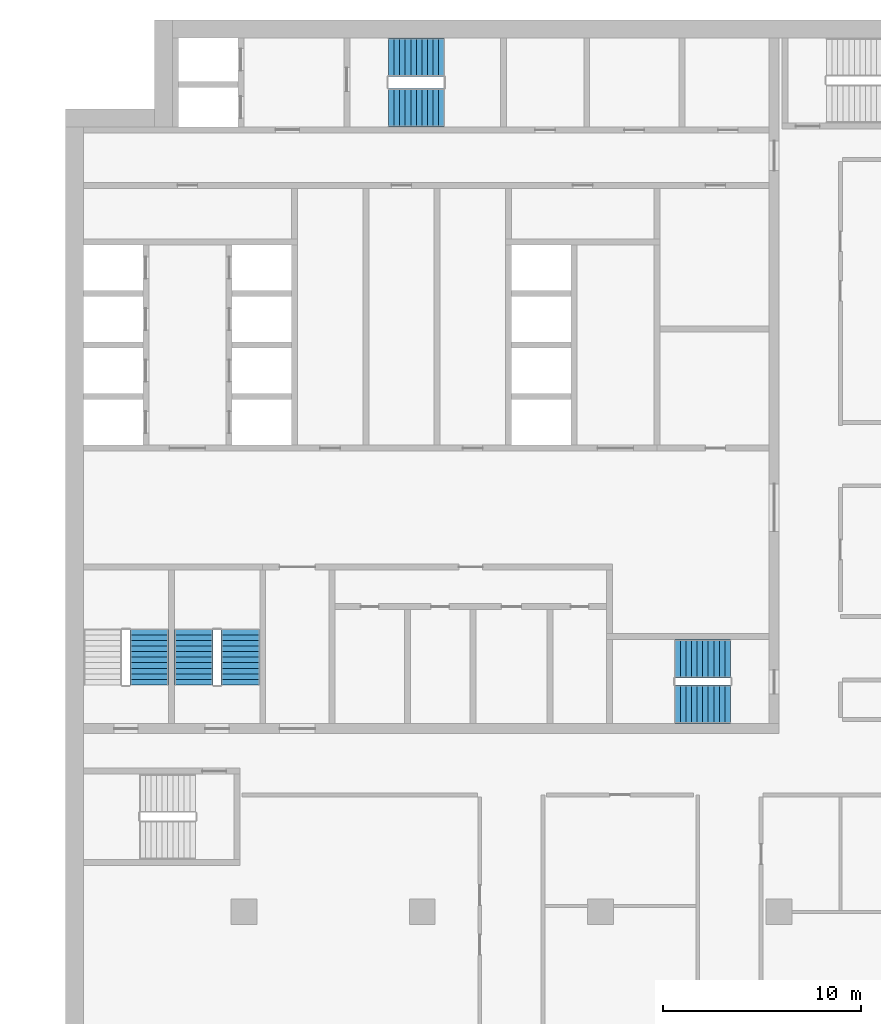
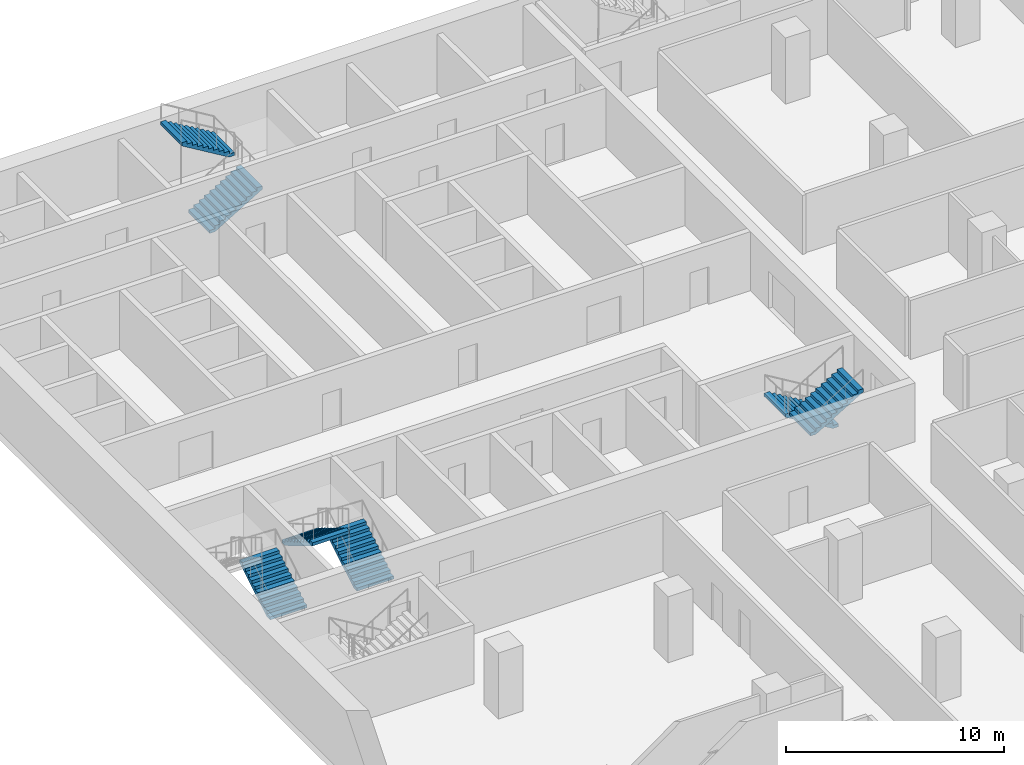
# One storey, part 17 of 23: 7 stair flights, 4 elements without a shape of their own.
"""IFC4 building model written with IfcOpenShell, lengths in metres."""

from ifc_helpers import new_model, si_unit, direction, frame, origin, place, context, subcontext, project, spatial, polyline, outline, extrude, material, type_object, element, aggregate, save


model = new_model("IFC4")

# Units and contexts
model_context = context("Model", 3, precision=1e-05, world=origin(), true_north=direction((0.0, 1.0)))
body_context = subcontext(model_context, "Body", "Model", "MODEL_VIEW")
ifc_project = project(units=[si_unit("LENGTHUNIT", "METRE"), si_unit("AREAUNIT", "SQUARE_METRE"), si_unit("VOLUMEUNIT", "CUBIC_METRE"), si_unit("PLANEANGLEUNIT", "RADIAN"), si_unit("MASSUNIT", "GRAM", prefix="KILO")], contexts=[model_context])

# Site, building, storey
site_placement = place(None, origin())
site = spatial("IfcSite", under=ifc_project, at=site_placement, CompositionType="ELEMENT")
building_placement = place(site_placement, origin())
building = spatial("IfcBuilding", under=site, at=building_placement, Name="Hunhe Ridgeline Campus", CompositionType="ELEMENT")
storey_placement = place(building_placement, frame((0.0, 0.0, 99.60009765625)))
storey = spatial("IfcBuildingStorey", under=building, at=storey_placement, Name="L24", CompositionType="ELEMENT", Elevation=99.60009765625)

# Stair, stair flights
ifc_material = material(Name="Concrete C40", Category="concrete")
stair_type = type_object("IfcStairType", Name="Reinforced concrete dog-leg stair 1950 Concrete C40", PredefinedType="HALF_TURN_STAIR", material=ifc_material)
stair_1_placement = place(storey_placement, origin())
stair_1 = element("IfcStair", 1, at=stair_1_placement, inside=storey, type_object=stair_type, Name="L24 S1", PredefinedType="HALF_TURN_STAIR")
stair_flight_type = type_object("IfcStairFlightType", Name="Reinforced concrete stair flight 1950 Concrete C40", PredefinedType="STRAIGHT", material=ifc_material)
stair_flight_1_placement = place(storey_placement, frame((16.300048828125, 94.574951171875, 0.0), z_axis=(0.0, 0.0, 1.0), x_axis=(1.0, 0.0, 0.0)))
stair_flight_1 = element("IfcStairFlight", 2, at=stair_flight_1_placement, type_object=stair_flight_type, Name="ST1 flight 1", NumberOfRisers=11, NumberOfTreads=10, PredefinedType="STRAIGHT", RiserHeight=0.168181818, TreadLength=0.28, context=body_context, shape_type="SweptSolid", body=[
    extrude(outline(polyline([(0.0, 0.0), (0.0, 0.168212890625), (0.280029296875, 0.168212890625), (0.280029296875, 0.33642578125), (0.56005859375, 0.33642578125), (0.56005859375, 0.504638671875), (0.840087890625, 0.504638671875), (0.840087890625, 0.672607421875), (1.1201171875, 0.672607421875), (1.1201171875, 0.8408203125), (1.39990234375, 0.8408203125), (1.39990234375, 1.009033203125), (1.679931640625, 1.009033203125), (1.679931640625, 1.17724609375), (1.9599609375, 1.17724609375), (1.9599609375, 1.345458984375), (2.239990234375, 1.345458984375), (2.239990234375, 1.513671875), (2.52001953125, 1.513671875), (2.52001953125, 1.681884765625), (2.800048828125, 1.681884765625), (2.800048828125, 1.85009765625), (2.800048828125, 1.5068359375), (0.291015625, 0.0), (0.0, 0.0)])), frame((0.0, 0.97509765625, 0.0), z_axis=(0.0, -1.0, 0.0), x_axis=(1.0, 0.0, 0.0)), (0.0, 0.0, 1.0), 1.949951171875),
    extrude(outline(polyline([(0.030029296875, 0.030029296875), (0.030029296875, 0.13818359375), (0.31005859375, 0.13818359375), (0.31005859375, 0.306396484375), (0.590087890625, 0.306396484375), (0.590087890625, 0.474609375), (0.8701171875, 0.474609375), (0.8701171875, 0.642578125), (1.14990234375, 0.642578125), (1.14990234375, 0.810791015625), (1.429931640625, 0.810791015625), (1.429931640625, 0.97900390625), (1.7099609375, 0.97900390625), (1.7099609375, 1.147216796875), (1.989990234375, 1.147216796875), (1.989990234375, 1.3154296875), (2.27001953125, 1.3154296875), (2.27001953125, 1.483642578125), (2.550048828125, 1.483642578125), (2.550048828125, 1.65185546875), (2.77001953125, 1.65185546875), (2.77001953125, 1.52392578125), (0.28271484375, 0.030029296875), (0.030029296875, 0.030029296875)])), frame((0.0, -0.070068359375, 0.0), z_axis=(0.0, -1.0, 0.0), x_axis=(1.0, 0.0, 0.0)), (0.0, 0.0, 1.0), 0.019775390625),
    extrude(outline(polyline([(0.030029296875, 0.030029296875), (0.030029296875, 0.13818359375), (0.31005859375, 0.13818359375), (0.31005859375, 0.306396484375), (0.590087890625, 0.306396484375), (0.590087890625, 0.474609375), (0.8701171875, 0.474609375), (0.8701171875, 0.642578125), (1.14990234375, 0.642578125), (1.14990234375, 0.810791015625), (1.429931640625, 0.810791015625), (1.429931640625, 0.97900390625), (1.7099609375, 0.97900390625), (1.7099609375, 1.147216796875), (1.989990234375, 1.147216796875), (1.989990234375, 1.3154296875), (2.27001953125, 1.3154296875), (2.27001953125, 1.483642578125), (2.550048828125, 1.483642578125), (2.550048828125, 1.65185546875), (2.77001953125, 1.65185546875), (2.77001953125, 1.52392578125), (0.28271484375, 0.030029296875), (0.030029296875, 0.030029296875)])), frame((0.0, 0.010009765625, 0.0), z_axis=(0.0, -1.0, 0.0), x_axis=(1.0, 0.0, 0.0)), (0.0, 0.0, 1.0), 0.019775390625),
    extrude(outline(polyline([(0.030029296875, 0.030029296875), (0.030029296875, 0.13818359375), (0.31005859375, 0.13818359375), (0.31005859375, 0.306396484375), (0.590087890625, 0.306396484375), (0.590087890625, 0.474609375), (0.8701171875, 0.474609375), (0.8701171875, 0.642578125), (1.14990234375, 0.642578125), (1.14990234375, 0.810791015625), (1.429931640625, 0.810791015625), (1.429931640625, 0.97900390625), (1.7099609375, 0.97900390625), (1.7099609375, 1.147216796875), (1.989990234375, 1.147216796875), (1.989990234375, 1.3154296875), (2.27001953125, 1.3154296875), (2.27001953125, 1.483642578125), (2.550048828125, 1.483642578125), (2.550048828125, 1.65185546875), (2.77001953125, 1.65185546875), (2.77001953125, 1.52392578125), (0.28271484375, 0.030029296875), (0.030029296875, 0.030029296875)])), frame((0.0, 0.090087890625, 0.0), z_axis=(0.0, -1.0, 0.0), x_axis=(1.0, 0.0, 0.0)), (0.0, 0.0, 1.0), 0.019775390625),
])
stair_flight_2_placement = place(storey_placement, frame((19.10009765625, 97.125, 1.849853515625), z_axis=(0.0, 0.0, 1.0), x_axis=(-1.0, 0.0, 0.0)))
stair_flight_2 = element("IfcStairFlight", 3, at=stair_flight_2_placement, type_object=stair_flight_type, Name="ST1 flight 2", NumberOfRisers=11, NumberOfTreads=10, PredefinedType="STRAIGHT", RiserHeight=0.168181818, TreadLength=0.28, context=body_context, shape_type="SweptSolid", body=[
    extrude(outline(polyline([(0.0, 0.0), (0.0, 0.168212890625), (0.280029296875, 0.168212890625), (0.280029296875, 0.33642578125), (0.56005859375, 0.33642578125), (0.56005859375, 0.504638671875), (0.840087890625, 0.504638671875), (0.840087890625, 0.672607421875), (1.1201171875, 0.672607421875), (1.1201171875, 0.8408203125), (1.39990234375, 0.8408203125), (1.39990234375, 1.009033203125), (1.679931640625, 1.009033203125), (1.679931640625, 1.17724609375), (1.9599609375, 1.17724609375), (1.9599609375, 1.345458984375), (2.239990234375, 1.345458984375), (2.239990234375, 1.513671875), (2.52001953125, 1.513671875), (2.52001953125, 1.681884765625), (2.800048828125, 1.681884765625), (2.800048828125, 1.85009765625), (2.800048828125, 1.5068359375), (0.291015625, 0.0), (0.0, 0.0)])), frame((0.0, 0.97509765625, 0.0), z_axis=(0.0, -1.0, 0.0), x_axis=(1.0, 0.0, 0.0)), (0.0, 0.0, 1.0), 1.949951171875),
    extrude(outline(polyline([(0.030029296875, 0.030029296875), (0.030029296875, 0.13818359375), (0.31005859375, 0.13818359375), (0.31005859375, 0.306396484375), (0.590087890625, 0.306396484375), (0.590087890625, 0.474609375), (0.8701171875, 0.474609375), (0.8701171875, 0.642578125), (1.14990234375, 0.642578125), (1.14990234375, 0.810791015625), (1.429931640625, 0.810791015625), (1.429931640625, 0.97900390625), (1.7099609375, 0.97900390625), (1.7099609375, 1.147216796875), (1.989990234375, 1.147216796875), (1.989990234375, 1.3154296875), (2.27001953125, 1.3154296875), (2.27001953125, 1.483642578125), (2.550048828125, 1.483642578125), (2.550048828125, 1.65185546875), (2.77001953125, 1.65185546875), (2.77001953125, 1.52392578125), (0.28271484375, 0.030029296875), (0.030029296875, 0.030029296875)])), frame((0.0, -0.070068359375, 0.0), z_axis=(0.0, -1.0, 0.0), x_axis=(1.0, 0.0, 0.0)), (0.0, 0.0, 1.0), 0.019775390625),
    extrude(outline(polyline([(0.030029296875, 0.030029296875), (0.030029296875, 0.13818359375), (0.31005859375, 0.13818359375), (0.31005859375, 0.306396484375), (0.590087890625, 0.306396484375), (0.590087890625, 0.474609375), (0.8701171875, 0.474609375), (0.8701171875, 0.642578125), (1.14990234375, 0.642578125), (1.14990234375, 0.810791015625), (1.429931640625, 0.810791015625), (1.429931640625, 0.97900390625), (1.7099609375, 0.97900390625), (1.7099609375, 1.147216796875), (1.989990234375, 1.147216796875), (1.989990234375, 1.3154296875), (2.27001953125, 1.3154296875), (2.27001953125, 1.483642578125), (2.550048828125, 1.483642578125), (2.550048828125, 1.65185546875), (2.77001953125, 1.65185546875), (2.77001953125, 1.52392578125), (0.28271484375, 0.030029296875), (0.030029296875, 0.030029296875)])), frame((0.0, 0.010009765625, 0.0), z_axis=(0.0, -1.0, 0.0), x_axis=(1.0, 0.0, 0.0)), (0.0, 0.0, 1.0), 0.019775390625),
    extrude(outline(polyline([(0.030029296875, 0.030029296875), (0.030029296875, 0.13818359375), (0.31005859375, 0.13818359375), (0.31005859375, 0.306396484375), (0.590087890625, 0.306396484375), (0.590087890625, 0.474609375), (0.8701171875, 0.474609375), (0.8701171875, 0.642578125), (1.14990234375, 0.642578125), (1.14990234375, 0.810791015625), (1.429931640625, 0.810791015625), (1.429931640625, 0.97900390625), (1.7099609375, 0.97900390625), (1.7099609375, 1.147216796875), (1.989990234375, 1.147216796875), (1.989990234375, 1.3154296875), (2.27001953125, 1.3154296875), (2.27001953125, 1.483642578125), (2.550048828125, 1.483642578125), (2.550048828125, 1.65185546875), (2.77001953125, 1.65185546875), (2.77001953125, 1.52392578125), (0.28271484375, 0.030029296875), (0.030029296875, 0.030029296875)])), frame((0.0, 0.090087890625, 0.0), z_axis=(0.0, -1.0, 0.0), x_axis=(1.0, 0.0, 0.0)), (0.0, 0.0, 1.0), 0.019775390625),
])
aggregate(stair_1, [stair_flight_1, stair_flight_2])

stair_2_placement = place(storey_placement, origin())
stair_2 = element("IfcStair", 4, at=stair_2_placement, inside=storey, type_object=stair_type, Name="L24 S2", PredefinedType="HALF_TURN_STAIR")
stair_flight_3_placement = place(storey_placement, frame((33.550048828125, 66.77490234375, 0.0), z_axis=(0.0, 0.0, 1.0), x_axis=(-1.0, 0.0, 0.0)))
stair_flight_3 = element("IfcStairFlight", 5, at=stair_flight_3_placement, type_object=stair_flight_type, Name="ST2 flight 1", NumberOfRisers=11, NumberOfTreads=10, PredefinedType="STRAIGHT", RiserHeight=0.168181818, TreadLength=0.28, context=body_context, shape_type="SweptSolid", body=[
    extrude(outline(polyline([(0.0, 0.0), (0.0, 0.168212890625), (0.280029296875, 0.168212890625), (0.280029296875, 0.33642578125), (0.56005859375, 0.33642578125), (0.56005859375, 0.504638671875), (0.840087890625, 0.504638671875), (0.840087890625, 0.672607421875), (1.1201171875, 0.672607421875), (1.1201171875, 0.8408203125), (1.39990234375, 0.8408203125), (1.39990234375, 1.009033203125), (1.679931640625, 1.009033203125), (1.679931640625, 1.17724609375), (1.9599609375, 1.17724609375), (1.9599609375, 1.345458984375), (2.239990234375, 1.345458984375), (2.239990234375, 1.513671875), (2.52001953125, 1.513671875), (2.52001953125, 1.681884765625), (2.800048828125, 1.681884765625), (2.800048828125, 1.85009765625), (2.800048828125, 1.5068359375), (0.291015625, 0.0), (0.0, 0.0)])), frame((0.0, 0.97509765625, 0.0), z_axis=(0.0, -1.0, 0.0), x_axis=(1.0, 0.0, 0.0)), (0.0, 0.0, 1.0), 1.949951171875),
    extrude(outline(polyline([(0.030029296875, 0.030029296875), (0.030029296875, 0.13818359375), (0.31005859375, 0.13818359375), (0.31005859375, 0.306396484375), (0.590087890625, 0.306396484375), (0.590087890625, 0.474609375), (0.8701171875, 0.474609375), (0.8701171875, 0.642578125), (1.14990234375, 0.642578125), (1.14990234375, 0.810791015625), (1.429931640625, 0.810791015625), (1.429931640625, 0.97900390625), (1.7099609375, 0.97900390625), (1.7099609375, 1.147216796875), (1.989990234375, 1.147216796875), (1.989990234375, 1.3154296875), (2.27001953125, 1.3154296875), (2.27001953125, 1.483642578125), (2.550048828125, 1.483642578125), (2.550048828125, 1.65185546875), (2.77001953125, 1.65185546875), (2.77001953125, 1.52392578125), (0.28271484375, 0.030029296875), (0.030029296875, 0.030029296875)])), frame((0.0, -0.070068359375, 0.0), z_axis=(0.0, -1.0, 0.0), x_axis=(1.0, 0.0, 0.0)), (0.0, 0.0, 1.0), 0.019775390625),
    extrude(outline(polyline([(0.030029296875, 0.030029296875), (0.030029296875, 0.13818359375), (0.31005859375, 0.13818359375), (0.31005859375, 0.306396484375), (0.590087890625, 0.306396484375), (0.590087890625, 0.474609375), (0.8701171875, 0.474609375), (0.8701171875, 0.642578125), (1.14990234375, 0.642578125), (1.14990234375, 0.810791015625), (1.429931640625, 0.810791015625), (1.429931640625, 0.97900390625), (1.7099609375, 0.97900390625), (1.7099609375, 1.147216796875), (1.989990234375, 1.147216796875), (1.989990234375, 1.3154296875), (2.27001953125, 1.3154296875), (2.27001953125, 1.483642578125), (2.550048828125, 1.483642578125), (2.550048828125, 1.65185546875), (2.77001953125, 1.65185546875), (2.77001953125, 1.52392578125), (0.28271484375, 0.030029296875), (0.030029296875, 0.030029296875)])), frame((0.0, 0.010009765625, 0.0), z_axis=(0.0, -1.0, 0.0), x_axis=(1.0, 0.0, 0.0)), (0.0, 0.0, 1.0), 0.019775390625),
    extrude(outline(polyline([(0.030029296875, 0.030029296875), (0.030029296875, 0.13818359375), (0.31005859375, 0.13818359375), (0.31005859375, 0.306396484375), (0.590087890625, 0.306396484375), (0.590087890625, 0.474609375), (0.8701171875, 0.474609375), (0.8701171875, 0.642578125), (1.14990234375, 0.642578125), (1.14990234375, 0.810791015625), (1.429931640625, 0.810791015625), (1.429931640625, 0.97900390625), (1.7099609375, 0.97900390625), (1.7099609375, 1.147216796875), (1.989990234375, 1.147216796875), (1.989990234375, 1.3154296875), (2.27001953125, 1.3154296875), (2.27001953125, 1.483642578125), (2.550048828125, 1.483642578125), (2.550048828125, 1.65185546875), (2.77001953125, 1.65185546875), (2.77001953125, 1.52392578125), (0.28271484375, 0.030029296875), (0.030029296875, 0.030029296875)])), frame((0.0, 0.090087890625, 0.0), z_axis=(0.0, -1.0, 0.0), x_axis=(1.0, 0.0, 0.0)), (0.0, 0.0, 1.0), 0.019775390625),
])
stair_flight_4_placement = place(storey_placement, frame((30.75, 64.47509765625, 1.849853515625), z_axis=(0.0, 0.0, 1.0), x_axis=(1.0, 0.0, 0.0)))
stair_flight_4 = element("IfcStairFlight", 6, at=stair_flight_4_placement, type_object=stair_flight_type, Name="ST2 flight 2", NumberOfRisers=11, NumberOfTreads=10, PredefinedType="STRAIGHT", RiserHeight=0.168181818, TreadLength=0.28, context=body_context, shape_type="SweptSolid", body=[
    extrude(outline(polyline([(0.0, 0.0), (0.0, 0.168212890625), (0.280029296875, 0.168212890625), (0.280029296875, 0.33642578125), (0.56005859375, 0.33642578125), (0.56005859375, 0.504638671875), (0.840087890625, 0.504638671875), (0.840087890625, 0.672607421875), (1.1201171875, 0.672607421875), (1.1201171875, 0.8408203125), (1.39990234375, 0.8408203125), (1.39990234375, 1.009033203125), (1.679931640625, 1.009033203125), (1.679931640625, 1.17724609375), (1.9599609375, 1.17724609375), (1.9599609375, 1.345458984375), (2.239990234375, 1.345458984375), (2.239990234375, 1.513671875), (2.52001953125, 1.513671875), (2.52001953125, 1.681884765625), (2.800048828125, 1.681884765625), (2.800048828125, 1.85009765625), (2.800048828125, 1.5068359375), (0.291015625, 0.0), (0.0, 0.0)])), frame((0.0, 0.97509765625, 0.0), z_axis=(0.0, -1.0, 0.0), x_axis=(1.0, 0.0, 0.0)), (0.0, 0.0, 1.0), 1.949951171875),
    extrude(outline(polyline([(0.030029296875, 0.030029296875), (0.030029296875, 0.13818359375), (0.31005859375, 0.13818359375), (0.31005859375, 0.306396484375), (0.590087890625, 0.306396484375), (0.590087890625, 0.474609375), (0.8701171875, 0.474609375), (0.8701171875, 0.642578125), (1.14990234375, 0.642578125), (1.14990234375, 0.810791015625), (1.429931640625, 0.810791015625), (1.429931640625, 0.97900390625), (1.7099609375, 0.97900390625), (1.7099609375, 1.147216796875), (1.989990234375, 1.147216796875), (1.989990234375, 1.3154296875), (2.27001953125, 1.3154296875), (2.27001953125, 1.483642578125), (2.550048828125, 1.483642578125), (2.550048828125, 1.65185546875), (2.77001953125, 1.65185546875), (2.77001953125, 1.52392578125), (0.28271484375, 0.030029296875), (0.030029296875, 0.030029296875)])), frame((0.0, -0.070068359375, 0.0), z_axis=(0.0, -1.0, 0.0), x_axis=(1.0, 0.0, 0.0)), (0.0, 0.0, 1.0), 0.019775390625),
    extrude(outline(polyline([(0.030029296875, 0.030029296875), (0.030029296875, 0.13818359375), (0.31005859375, 0.13818359375), (0.31005859375, 0.306396484375), (0.590087890625, 0.306396484375), (0.590087890625, 0.474609375), (0.8701171875, 0.474609375), (0.8701171875, 0.642578125), (1.14990234375, 0.642578125), (1.14990234375, 0.810791015625), (1.429931640625, 0.810791015625), (1.429931640625, 0.97900390625), (1.7099609375, 0.97900390625), (1.7099609375, 1.147216796875), (1.989990234375, 1.147216796875), (1.989990234375, 1.3154296875), (2.27001953125, 1.3154296875), (2.27001953125, 1.483642578125), (2.550048828125, 1.483642578125), (2.550048828125, 1.65185546875), (2.77001953125, 1.65185546875), (2.77001953125, 1.52392578125), (0.28271484375, 0.030029296875), (0.030029296875, 0.030029296875)])), frame((0.0, 0.010009765625, 0.0), z_axis=(0.0, -1.0, 0.0), x_axis=(1.0, 0.0, 0.0)), (0.0, 0.0, 1.0), 0.019775390625),
    extrude(outline(polyline([(0.030029296875, 0.030029296875), (0.030029296875, 0.13818359375), (0.31005859375, 0.13818359375), (0.31005859375, 0.306396484375), (0.590087890625, 0.306396484375), (0.590087890625, 0.474609375), (0.8701171875, 0.474609375), (0.8701171875, 0.642578125), (1.14990234375, 0.642578125), (1.14990234375, 0.810791015625), (1.429931640625, 0.810791015625), (1.429931640625, 0.97900390625), (1.7099609375, 0.97900390625), (1.7099609375, 1.147216796875), (1.989990234375, 1.147216796875), (1.989990234375, 1.3154296875), (2.27001953125, 1.3154296875), (2.27001953125, 1.483642578125), (2.550048828125, 1.483642578125), (2.550048828125, 1.65185546875), (2.77001953125, 1.65185546875), (2.77001953125, 1.52392578125), (0.28271484375, 0.030029296875), (0.030029296875, 0.030029296875)])), frame((0.0, 0.090087890625, 0.0), z_axis=(0.0, -1.0, 0.0), x_axis=(1.0, 0.0, 0.0)), (0.0, 0.0, 1.0), 0.019775390625),
])
aggregate(stair_2, [stair_flight_3, stair_flight_4])

# Stair, stair flight
stair_3_placement = place(storey_placement, origin())
stair_3 = element("IfcStair", 7, at=stair_3_placement, inside=storey, type_object=stair_type, Name="L24 S3", PredefinedType="HALF_TURN_STAIR")
stair_flight_5_placement = place(storey_placement, frame((4.22509765625, 65.449951171875, 0.0), z_axis=(0.0, 0.0, 1.0), x_axis=(0.0, 1.0, 0.0)))
stair_flight_5 = element("IfcStairFlight", 8, at=stair_flight_5_placement, type_object=stair_flight_type, Name="ST3 flight 1", NumberOfRisers=11, NumberOfTreads=10, PredefinedType="STRAIGHT", RiserHeight=0.168181818, TreadLength=0.28, context=body_context, shape_type="SweptSolid", body=[
    extrude(outline(polyline([(0.0, 0.0), (0.0, 0.168212890625), (0.280029296875, 0.168212890625), (0.280029296875, 0.33642578125), (0.56005859375, 0.33642578125), (0.56005859375, 0.504638671875), (0.840087890625, 0.504638671875), (0.840087890625, 0.672607421875), (1.1201171875, 0.672607421875), (1.1201171875, 0.8408203125), (1.39990234375, 0.8408203125), (1.39990234375, 1.009033203125), (1.679931640625, 1.009033203125), (1.679931640625, 1.17724609375), (1.9599609375, 1.17724609375), (1.9599609375, 1.345458984375), (2.239990234375, 1.345458984375), (2.239990234375, 1.513671875), (2.52001953125, 1.513671875), (2.52001953125, 1.681884765625), (2.800048828125, 1.681884765625), (2.800048828125, 1.85009765625), (2.800048828125, 1.5068359375), (0.291015625, 0.0), (0.0, 0.0)])), frame((0.0, 0.97509765625, 0.0), z_axis=(0.0, -1.0, 0.0), x_axis=(1.0, 0.0, 0.0)), (0.0, 0.0, 1.0), 1.949951171875),
    extrude(outline(polyline([(0.030029296875, 0.030029296875), (0.030029296875, 0.13818359375), (0.31005859375, 0.13818359375), (0.31005859375, 0.306396484375), (0.590087890625, 0.306396484375), (0.590087890625, 0.474609375), (0.8701171875, 0.474609375), (0.8701171875, 0.642578125), (1.14990234375, 0.642578125), (1.14990234375, 0.810791015625), (1.429931640625, 0.810791015625), (1.429931640625, 0.97900390625), (1.7099609375, 0.97900390625), (1.7099609375, 1.147216796875), (1.989990234375, 1.147216796875), (1.989990234375, 1.3154296875), (2.27001953125, 1.3154296875), (2.27001953125, 1.483642578125), (2.550048828125, 1.483642578125), (2.550048828125, 1.65185546875), (2.77001953125, 1.65185546875), (2.77001953125, 1.52392578125), (0.28271484375, 0.030029296875), (0.030029296875, 0.030029296875)])), frame((0.0, -0.070068359375, 0.0), z_axis=(0.0, -1.0, 0.0), x_axis=(1.0, 0.0, 0.0)), (0.0, 0.0, 1.0), 0.019775390625),
    extrude(outline(polyline([(0.030029296875, 0.030029296875), (0.030029296875, 0.13818359375), (0.31005859375, 0.13818359375), (0.31005859375, 0.306396484375), (0.590087890625, 0.306396484375), (0.590087890625, 0.474609375), (0.8701171875, 0.474609375), (0.8701171875, 0.642578125), (1.14990234375, 0.642578125), (1.14990234375, 0.810791015625), (1.429931640625, 0.810791015625), (1.429931640625, 0.97900390625), (1.7099609375, 0.97900390625), (1.7099609375, 1.147216796875), (1.989990234375, 1.147216796875), (1.989990234375, 1.3154296875), (2.27001953125, 1.3154296875), (2.27001953125, 1.483642578125), (2.550048828125, 1.483642578125), (2.550048828125, 1.65185546875), (2.77001953125, 1.65185546875), (2.77001953125, 1.52392578125), (0.28271484375, 0.030029296875), (0.030029296875, 0.030029296875)])), frame((0.0, 0.010009765625, 0.0), z_axis=(0.0, -1.0, 0.0), x_axis=(1.0, 0.0, 0.0)), (0.0, 0.0, 1.0), 0.019775390625),
    extrude(outline(polyline([(0.030029296875, 0.030029296875), (0.030029296875, 0.13818359375), (0.31005859375, 0.13818359375), (0.31005859375, 0.306396484375), (0.590087890625, 0.306396484375), (0.590087890625, 0.474609375), (0.8701171875, 0.474609375), (0.8701171875, 0.642578125), (1.14990234375, 0.642578125), (1.14990234375, 0.810791015625), (1.429931640625, 0.810791015625), (1.429931640625, 0.97900390625), (1.7099609375, 0.97900390625), (1.7099609375, 1.147216796875), (1.989990234375, 1.147216796875), (1.989990234375, 1.3154296875), (2.27001953125, 1.3154296875), (2.27001953125, 1.483642578125), (2.550048828125, 1.483642578125), (2.550048828125, 1.65185546875), (2.77001953125, 1.65185546875), (2.77001953125, 1.52392578125), (0.28271484375, 0.030029296875), (0.030029296875, 0.030029296875)])), frame((0.0, 0.090087890625, 0.0), z_axis=(0.0, -1.0, 0.0), x_axis=(1.0, 0.0, 0.0)), (0.0, 0.0, 1.0), 0.019775390625),
])
aggregate(stair_3, [stair_flight_5])

# Stair, stair flights
stair_4_placement = place(storey_placement, origin())
stair_4 = element("IfcStair", 9, at=stair_4_placement, inside=storey, type_object=stair_type, Name="L24 S4", PredefinedType="HALF_TURN_STAIR")
stair_flight_6_placement = place(storey_placement, frame((8.824951171875, 65.449951171875, 0.0), z_axis=(0.0, 0.0, 1.0), x_axis=(0.0, 1.0, 0.0)))
stair_flight_6 = element("IfcStairFlight", 10, at=stair_flight_6_placement, type_object=stair_flight_type, Name="ST4 flight 1", NumberOfRisers=11, NumberOfTreads=10, PredefinedType="STRAIGHT", RiserHeight=0.168181818, TreadLength=0.28, context=body_context, shape_type="SweptSolid", body=[
    extrude(outline(polyline([(0.0, 0.0), (0.0, 0.168212890625), (0.280029296875, 0.168212890625), (0.280029296875, 0.33642578125), (0.56005859375, 0.33642578125), (0.56005859375, 0.504638671875), (0.840087890625, 0.504638671875), (0.840087890625, 0.672607421875), (1.1201171875, 0.672607421875), (1.1201171875, 0.8408203125), (1.39990234375, 0.8408203125), (1.39990234375, 1.009033203125), (1.679931640625, 1.009033203125), (1.679931640625, 1.17724609375), (1.9599609375, 1.17724609375), (1.9599609375, 1.345458984375), (2.239990234375, 1.345458984375), (2.239990234375, 1.513671875), (2.52001953125, 1.513671875), (2.52001953125, 1.681884765625), (2.800048828125, 1.681884765625), (2.800048828125, 1.85009765625), (2.800048828125, 1.5068359375), (0.291015625, 0.0), (0.0, 0.0)])), frame((0.0, 0.97509765625, 0.0), z_axis=(0.0, -1.0, 0.0), x_axis=(1.0, 0.0, 0.0)), (0.0, 0.0, 1.0), 1.949951171875),
    extrude(outline(polyline([(0.030029296875, 0.030029296875), (0.030029296875, 0.13818359375), (0.31005859375, 0.13818359375), (0.31005859375, 0.306396484375), (0.590087890625, 0.306396484375), (0.590087890625, 0.474609375), (0.8701171875, 0.474609375), (0.8701171875, 0.642578125), (1.14990234375, 0.642578125), (1.14990234375, 0.810791015625), (1.429931640625, 0.810791015625), (1.429931640625, 0.97900390625), (1.7099609375, 0.97900390625), (1.7099609375, 1.147216796875), (1.989990234375, 1.147216796875), (1.989990234375, 1.3154296875), (2.27001953125, 1.3154296875), (2.27001953125, 1.483642578125), (2.550048828125, 1.483642578125), (2.550048828125, 1.65185546875), (2.77001953125, 1.65185546875), (2.77001953125, 1.52392578125), (0.28271484375, 0.030029296875), (0.030029296875, 0.030029296875)])), frame((0.0, -0.070068359375, 0.0), z_axis=(0.0, -1.0, 0.0), x_axis=(1.0, 0.0, 0.0)), (0.0, 0.0, 1.0), 0.019775390625),
    extrude(outline(polyline([(0.030029296875, 0.030029296875), (0.030029296875, 0.13818359375), (0.31005859375, 0.13818359375), (0.31005859375, 0.306396484375), (0.590087890625, 0.306396484375), (0.590087890625, 0.474609375), (0.8701171875, 0.474609375), (0.8701171875, 0.642578125), (1.14990234375, 0.642578125), (1.14990234375, 0.810791015625), (1.429931640625, 0.810791015625), (1.429931640625, 0.97900390625), (1.7099609375, 0.97900390625), (1.7099609375, 1.147216796875), (1.989990234375, 1.147216796875), (1.989990234375, 1.3154296875), (2.27001953125, 1.3154296875), (2.27001953125, 1.483642578125), (2.550048828125, 1.483642578125), (2.550048828125, 1.65185546875), (2.77001953125, 1.65185546875), (2.77001953125, 1.52392578125), (0.28271484375, 0.030029296875), (0.030029296875, 0.030029296875)])), frame((0.0, 0.010009765625, 0.0), z_axis=(0.0, -1.0, 0.0), x_axis=(1.0, 0.0, 0.0)), (0.0, 0.0, 1.0), 0.019775390625),
    extrude(outline(polyline([(0.030029296875, 0.030029296875), (0.030029296875, 0.13818359375), (0.31005859375, 0.13818359375), (0.31005859375, 0.306396484375), (0.590087890625, 0.306396484375), (0.590087890625, 0.474609375), (0.8701171875, 0.474609375), (0.8701171875, 0.642578125), (1.14990234375, 0.642578125), (1.14990234375, 0.810791015625), (1.429931640625, 0.810791015625), (1.429931640625, 0.97900390625), (1.7099609375, 0.97900390625), (1.7099609375, 1.147216796875), (1.989990234375, 1.147216796875), (1.989990234375, 1.3154296875), (2.27001953125, 1.3154296875), (2.27001953125, 1.483642578125), (2.550048828125, 1.483642578125), (2.550048828125, 1.65185546875), (2.77001953125, 1.65185546875), (2.77001953125, 1.52392578125), (0.28271484375, 0.030029296875), (0.030029296875, 0.030029296875)])), frame((0.0, 0.090087890625, 0.0), z_axis=(0.0, -1.0, 0.0), x_axis=(1.0, 0.0, 0.0)), (0.0, 0.0, 1.0), 0.019775390625),
])
stair_flight_7_placement = place(storey_placement, frame((6.47509765625, 68.25, 1.849853515625), z_axis=(0.0, 0.0, 1.0), x_axis=(0.0, -1.0, 0.0)))
stair_flight_7 = element("IfcStairFlight", 11, at=stair_flight_7_placement, type_object=stair_flight_type, Name="ST4 flight 2", NumberOfRisers=11, NumberOfTreads=10, PredefinedType="STRAIGHT", RiserHeight=0.168181818, TreadLength=0.28, context=body_context, shape_type="SweptSolid", body=[
    extrude(outline(polyline([(0.0, 0.0), (0.0, 0.168212890625), (0.280029296875, 0.168212890625), (0.280029296875, 0.33642578125), (0.56005859375, 0.33642578125), (0.56005859375, 0.504638671875), (0.840087890625, 0.504638671875), (0.840087890625, 0.672607421875), (1.1201171875, 0.672607421875), (1.1201171875, 0.8408203125), (1.39990234375, 0.8408203125), (1.39990234375, 1.009033203125), (1.679931640625, 1.009033203125), (1.679931640625, 1.17724609375), (1.9599609375, 1.17724609375), (1.9599609375, 1.345458984375), (2.239990234375, 1.345458984375), (2.239990234375, 1.513671875), (2.52001953125, 1.513671875), (2.52001953125, 1.681884765625), (2.800048828125, 1.681884765625), (2.800048828125, 1.85009765625), (2.800048828125, 1.5068359375), (0.291015625, 0.0), (0.0, 0.0)])), frame((0.0, 0.97509765625, 0.0), z_axis=(0.0, -1.0, 0.0), x_axis=(1.0, 0.0, 0.0)), (0.0, 0.0, 1.0), 1.949951171875),
    extrude(outline(polyline([(0.030029296875, 0.030029296875), (0.030029296875, 0.13818359375), (0.31005859375, 0.13818359375), (0.31005859375, 0.306396484375), (0.590087890625, 0.306396484375), (0.590087890625, 0.474609375), (0.8701171875, 0.474609375), (0.8701171875, 0.642578125), (1.14990234375, 0.642578125), (1.14990234375, 0.810791015625), (1.429931640625, 0.810791015625), (1.429931640625, 0.97900390625), (1.7099609375, 0.97900390625), (1.7099609375, 1.147216796875), (1.989990234375, 1.147216796875), (1.989990234375, 1.3154296875), (2.27001953125, 1.3154296875), (2.27001953125, 1.483642578125), (2.550048828125, 1.483642578125), (2.550048828125, 1.65185546875), (2.77001953125, 1.65185546875), (2.77001953125, 1.52392578125), (0.28271484375, 0.030029296875), (0.030029296875, 0.030029296875)])), frame((0.0, -0.070068359375, 0.0), z_axis=(0.0, -1.0, 0.0), x_axis=(1.0, 0.0, 0.0)), (0.0, 0.0, 1.0), 0.019775390625),
    extrude(outline(polyline([(0.030029296875, 0.030029296875), (0.030029296875, 0.13818359375), (0.31005859375, 0.13818359375), (0.31005859375, 0.306396484375), (0.590087890625, 0.306396484375), (0.590087890625, 0.474609375), (0.8701171875, 0.474609375), (0.8701171875, 0.642578125), (1.14990234375, 0.642578125), (1.14990234375, 0.810791015625), (1.429931640625, 0.810791015625), (1.429931640625, 0.97900390625), (1.7099609375, 0.97900390625), (1.7099609375, 1.147216796875), (1.989990234375, 1.147216796875), (1.989990234375, 1.3154296875), (2.27001953125, 1.3154296875), (2.27001953125, 1.483642578125), (2.550048828125, 1.483642578125), (2.550048828125, 1.65185546875), (2.77001953125, 1.65185546875), (2.77001953125, 1.52392578125), (0.28271484375, 0.030029296875), (0.030029296875, 0.030029296875)])), frame((0.0, 0.010009765625, 0.0), z_axis=(0.0, -1.0, 0.0), x_axis=(1.0, 0.0, 0.0)), (0.0, 0.0, 1.0), 0.019775390625),
    extrude(outline(polyline([(0.030029296875, 0.030029296875), (0.030029296875, 0.13818359375), (0.31005859375, 0.13818359375), (0.31005859375, 0.306396484375), (0.590087890625, 0.306396484375), (0.590087890625, 0.474609375), (0.8701171875, 0.474609375), (0.8701171875, 0.642578125), (1.14990234375, 0.642578125), (1.14990234375, 0.810791015625), (1.429931640625, 0.810791015625), (1.429931640625, 0.97900390625), (1.7099609375, 0.97900390625), (1.7099609375, 1.147216796875), (1.989990234375, 1.147216796875), (1.989990234375, 1.3154296875), (2.27001953125, 1.3154296875), (2.27001953125, 1.483642578125), (2.550048828125, 1.483642578125), (2.550048828125, 1.65185546875), (2.77001953125, 1.65185546875), (2.77001953125, 1.52392578125), (0.28271484375, 0.030029296875), (0.030029296875, 0.030029296875)])), frame((0.0, 0.090087890625, 0.0), z_axis=(0.0, -1.0, 0.0), x_axis=(1.0, 0.0, 0.0)), (0.0, 0.0, 1.0), 0.019775390625),
])
aggregate(stair_4, [stair_flight_6, stair_flight_7])

save(model, "model.ifc")
